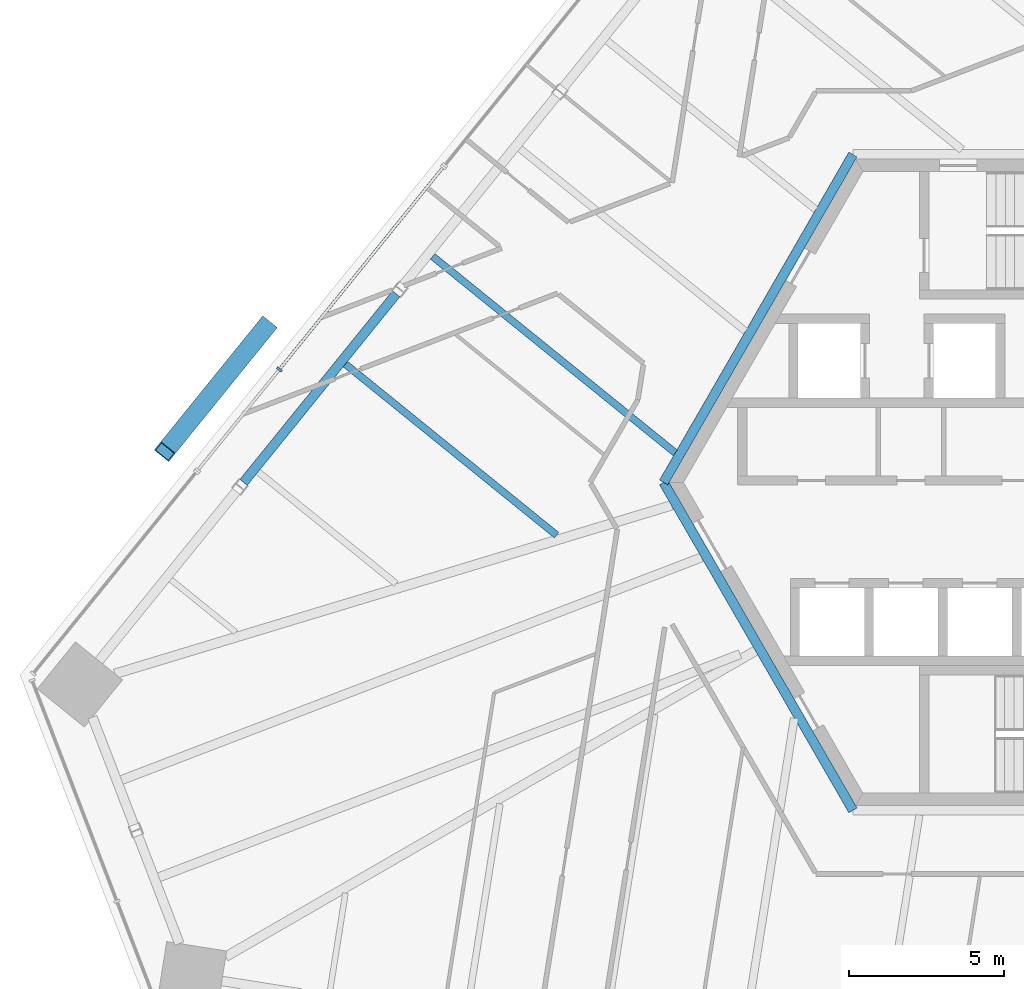
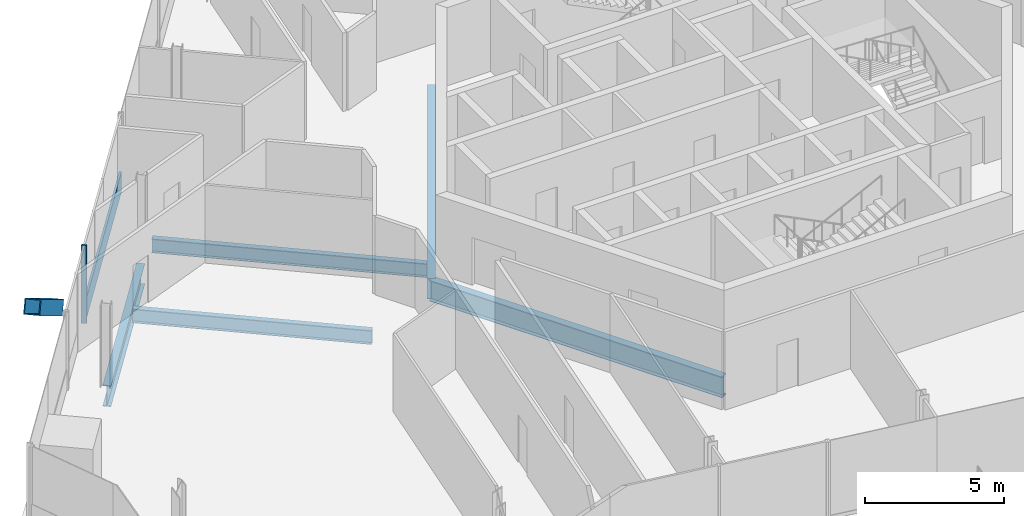
# One storey, part 5 of 19: 5 beams, 3 members, 1 element without a shape of its own.
"""IFC4 building model written with IfcOpenShell, lengths in metres."""

from ifc_helpers import new_model, si_unit, direction, frame, origin, origin_2d, place, context, subcontext, project, spatial, rectangle, hollow_rectangle, i_section, extrude, source, transform, mapped, material, material_profile, profile_set, type_object, element, aggregate, save


model = new_model("IFC4")

# Units and contexts
model_context = context("Model", 3, precision=1e-05, world=origin(), true_north=direction((0.0, 1.0)))
body_context = subcontext(model_context, "Body", "Model", "MODEL_VIEW")
ifc_project = project(units=[si_unit("LENGTHUNIT", "METRE"), si_unit("AREAUNIT", "SQUARE_METRE"), si_unit("VOLUMEUNIT", "CUBIC_METRE"), si_unit("PLANEANGLEUNIT", "RADIAN"), si_unit("MASSUNIT", "GRAM", prefix="KILO")], contexts=[model_context])

# Site, building, storey
site_placement = place(None, origin())
site = spatial("IfcSite", under=ifc_project, at=site_placement, CompositionType="ELEMENT")
building_placement = place(site_placement, origin())
building = spatial("IfcBuilding", under=site, at=building_placement, Name="Triune Harvest Tower", CompositionType="ELEMENT")
storey_placement = place(building_placement, frame((0.0, 0.0, 164.10009765625)))
storey = spatial("IfcBuildingStorey", under=building, at=storey_placement, Name="L42", CompositionType="ELEMENT", Elevation=164.10009765625)

# Beams
ifc_material_1 = material(Name="Steel ASTM A992 Gr 50", Category="steel")
ifc_material_profile_1 = material_profile(ifc_material_1, i_section(OverallWidth=0.3046875, OverallDepth=0.914306640625, WebThickness=0.0166015625, FlangeThickness=0.02587890625, at=origin_2d()), Name="W36x160")
ifc_profile_set_1 = profile_set([ifc_material_profile_1], Name="Steel ASTM A992 Gr 50")
beam_type_1 = type_object("IfcBeamType", Name="CG-1 Core ring girder W36x160", PredefinedType="BEAM", material=ifc_profile_set_1)
shared_shape_1 = source(origin(), body_context, "Body", "SweptSolid", [
    extrude(i_section(OverallWidth=0.3046875, OverallDepth=0.914306640625, WebThickness=0.0166015625, FlangeThickness=0.02587890625, at=origin_2d()), origin(), (0.0, 0.0, 1.0), 12.176025390625),
])
for number, where, z_axis, x_axis, name in (
    (1, (-6.087890625, 10.544677734375, -0.6171875), (-0.5000099932, -0.866019634131, 0.0), (0.866019634131, -0.5000099932, 0.0), "beam/L42/CG3"),
    (2, (-12.176025390625, 0.0, -0.6171875), (0.5000099932, -0.866019634131, 0.0), (0.866019634131, 0.5000099932, 0.0), "beam/L42/CG4"),
):
    element("IfcBeam", number, at=place(storey_placement, frame(where, z_axis=z_axis, x_axis=x_axis)), inside=storey, type_object=beam_type_1, Name=name, PredefinedType="BEAM", context=body_context, shape_type="MappedRepresentation", body=[
        mapped(shared_shape_1, transform((0.0, 0.0, 0.0), scale=1.0)),
    ])
ifc_material_2 = material(Name="Steel ASTM A992 Gr 50", Category="steel")
ifc_material_profile_2 = material_profile(ifc_material_2, i_section(OverallWidth=0.3046875, OverallDepth=0.914306640625, WebThickness=0.0166015625, FlangeThickness=0.02587890625, at=origin_2d()), Name="W36x160")
ifc_profile_set_2 = profile_set([ifc_material_profile_2], Name="Steel ASTM A992 Gr 50")
beam_type_2 = type_object("IfcBeamType", Name="SB-1 Spandrel beam W36x160", PredefinedType="SPANDREL", material=ifc_profile_set_2)
shared_shape_2 = source(origin(), body_context, "Body", "SweptSolid", [
    extrude(i_section(OverallWidth=0.3046875, OverallDepth=0.914306640625, WebThickness=0.0166015625, FlangeThickness=0.02587890625, at=origin_2d()), origin(), (0.0, 0.0, 1.0), 7.8017578125),
])
beam_1_placement = place(storey_placement, frame((-20.775390625, 6.064208984375, -0.6171875), z_axis=(-0.629335951387, -0.777133360686, 0.0), x_axis=(0.777133360686, -0.629335951387, 0.0)))
element("IfcBeam", 3, at=beam_1_placement, inside=storey, type_object=beam_type_2, Name="beam/L42/SB13", PredefinedType="SPANDREL", context=body_context, shape_type="MappedRepresentation", body=[
    mapped(shared_shape_2, transform((0.0, 0.0, 0.0), scale=1.0)),
])
ifc_material_3 = material(Name="Steel ASTM A992 Gr 50", Category="steel")
ifc_material_profile_3 = material_profile(ifc_material_3, i_section(OverallWidth=0.22900390625, OverallDepth=0.612060546875, WebThickness=0.011962890625, FlangeThickness=0.01953125, at=origin_2d()), Name="W24x84")
ifc_profile_set_3 = profile_set([ifc_material_profile_3], Name="Steel ASTM A992 Gr 50")
beam_type_3 = type_object("IfcBeamType", Name="JT-3 Floor joist W24x84", PredefinedType="JOIST", material=ifc_profile_set_3)
shared_shape_3 = source(origin(), body_context, "Body", "SweptSolid", [
    extrude(i_section(OverallWidth=0.22900390625, OverallDepth=0.612060546875, WebThickness=0.011962890625, FlangeThickness=0.01953125, at=origin_2d()), origin(), (0.0, 0.0, 1.0), 8.738037109375),
])
beam_2_placement = place(storey_placement, frame((-22.410400390625, 3.802978515625, -0.46630859375), z_axis=(0.777147913906, -0.629317979968, 0.0), x_axis=(0.629317979968, 0.777147913906, 0.0)))
element("IfcBeam", 4, at=beam_2_placement, inside=storey, type_object=beam_type_3, Name="beam/L42/JT20", PredefinedType="JOIST", context=body_context, shape_type="MappedRepresentation", body=[
    mapped(shared_shape_3, transform((0.0, 0.0, 0.0), scale=1.0)),
])
shared_shape_4 = source(origin(), body_context, "Body", "SweptSolid", [
    extrude(i_section(OverallWidth=0.22900390625, OverallDepth=0.612060546875, WebThickness=0.011962890625, FlangeThickness=0.01953125, at=origin_2d()), origin(), (0.0, 0.0, 1.0), 10.0380859375),
])
beam_3_placement = place(storey_placement, frame((-19.60400390625, 7.268310546875, -0.46630859375), z_axis=(0.777146308943, -0.629319961941, 0.0), x_axis=(0.629319961941, 0.777146308943, 0.0)))
element("IfcBeam", 5, at=beam_3_placement, inside=storey, type_object=beam_type_3, Name="beam/L42/JT19", PredefinedType="JOIST", context=body_context, shape_type="MappedRepresentation", body=[
    mapped(shared_shape_4, transform((0.0, 0.0, 0.0), scale=1.0)),
])

# Member
ifc_material_4 = material(Name="Steel ASTM A572 Gr 50", Category="steel")
ifc_material_profile_4 = material_profile(ifc_material_4, hollow_rectangle(XDim=0.60009765625, YDim=0.60009765625, WallThickness=0.0400390625, at=origin_2d()), Name="Box 600x600x40")
ifc_profile_set_4 = profile_set([ifc_material_profile_4], Name="Steel ASTM A572 Gr 50")
member_type_1 = type_object("IfcMemberType", Name="BR-2 Brace Box 600x600x40", PredefinedType="BRACE", material=ifc_profile_set_4)
shared_shape_5 = source(origin(), body_context, "Body", "SweptSolid", [
    extrude(hollow_rectangle(XDim=0.60009765625, YDim=0.60009765625, WallThickness=0.0400390625, at=origin_2d()), origin(), (0.0, 0.0, 1.0), 6.328857421875),
])
member_1_placement = place(storey_placement, frame((-24.94091796875, 5.03369140625, 0.0), z_axis=(-0.517601864929, -0.639190855706, 0.568791138647), x_axis=(0.777148746815, -0.629316951404, 0.0)))
element("IfcMember", 6, at=member_1_placement, inside=storey, type_object=member_type_1, Name="brace/B4-F3/d1/8", PredefinedType="BRACE", context=body_context, shape_type="MappedRepresentation", body=[
    mapped(shared_shape_5, transform((0.0, 0.0, 0.0), scale=1.0)),
])

# Curtain wall, members
ifc_material_5 = material(Name="Aluminium bronze anodised", Category="aluminium")
curtain_wall_type = type_object("IfcCurtainWallType", Name="CW-7 Tower stick curtain wall with insulated spandrel infill", PredefinedType="NOTDEFINED", material=ifc_material_5)
curtain_wall_placement = place(storey_placement, origin())
curtain_wall = element("IfcCurtainWall", 7, at=curtain_wall_placement, inside=storey, type_object=curtain_wall_type, Name="CW-7 B4-F3 L42 run 3001")
ifc_material_6 = material(Name="Aluminium bronze anodised", Category="aluminium")
ifc_material_profile_5 = material_profile(ifc_material_6, rectangle(XDim=0.199951171875, YDim=0.074951171875, at=origin_2d()), Name="MU-1 mullion 75 x 200")
ifc_profile_set_5 = profile_set([ifc_material_profile_5], Name="Aluminium bronze anodised")
member_type_2 = type_object("IfcMemberType", Name="MU-1 mullion 75 x 200", PredefinedType="MULLION", material=ifc_profile_set_5)
shared_shape_6 = source(origin(), body_context, "Body", "SweptSolid", [
    extrude(rectangle(XDim=0.199951171875, YDim=0.074951171875, at=origin_2d()), origin(), (0.0, 0.0, 1.0), 3.43994140625),
])
member_2_placement = place(storey_placement, frame((-24.53369140625, 3.630126953125, 0.0), z_axis=(0.0, 0.0, 1.0), x_axis=(0.777145386459, -0.629321101112, 0.0)))
member_2 = element("IfcMember", 8, at=member_2_placement, type_object=member_type_2, Name="CW-7 mullion B4-F3 3001.3", PredefinedType="MULLION", context=body_context, shape_type="MappedRepresentation", body=[
    mapped(shared_shape_6, transform((0.0, 0.0, 0.0), scale=1.0)),
])
ifc_material_7 = material(Name="Aluminium bronze anodised", Category="aluminium")
ifc_material_profile_6 = material_profile(ifc_material_7, rectangle(XDim=0.090087890625, YDim=0.89990234375, at=origin_2d()), Name="TR-1 transom 90 x 900")
ifc_profile_set_6 = profile_set([ifc_material_profile_6], Name="Aluminium bronze anodised")
member_type_3 = type_object("IfcMemberType", Name="TR-1 transom 90 x 900", PredefinedType="USERDEFINED", material=ifc_profile_set_6)
shared_shape_7 = source(origin(), body_context, "Body", "SweptSolid", [
    extrude(rectangle(XDim=0.090087890625, YDim=0.89990234375, at=origin_2d()), origin(), (0.0, 0.0, 1.0), 8.2998046875),
])
member_3_placement = place(storey_placement, frame((-19.286865234375, 10.109375, 0.449951171875), z_axis=(-0.629311612033, -0.777153070483, 0.0), x_axis=(0.777153070483, -0.629311612033, 0.0)))
member_3 = element("IfcMember", 9, at=member_3_placement, type_object=member_type_3, Name="CW-7 transom B4-F3 3001.1", ObjectType="TRANSOM", PredefinedType="USERDEFINED", context=body_context, shape_type="MappedRepresentation", body=[
    mapped(shared_shape_7, transform((0.0, 0.0, 0.0), scale=1.0)),
])
aggregate(curtain_wall, [member_2, member_3])

save(model, "model.ifc")
